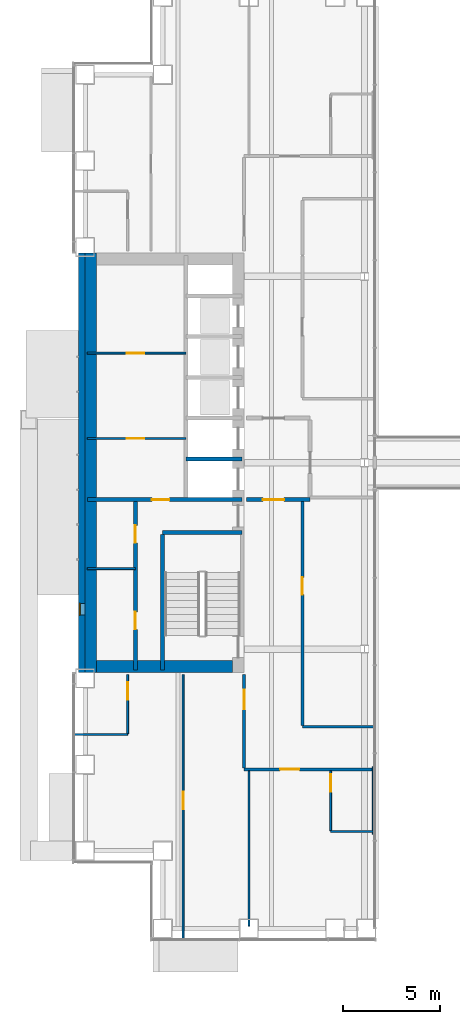
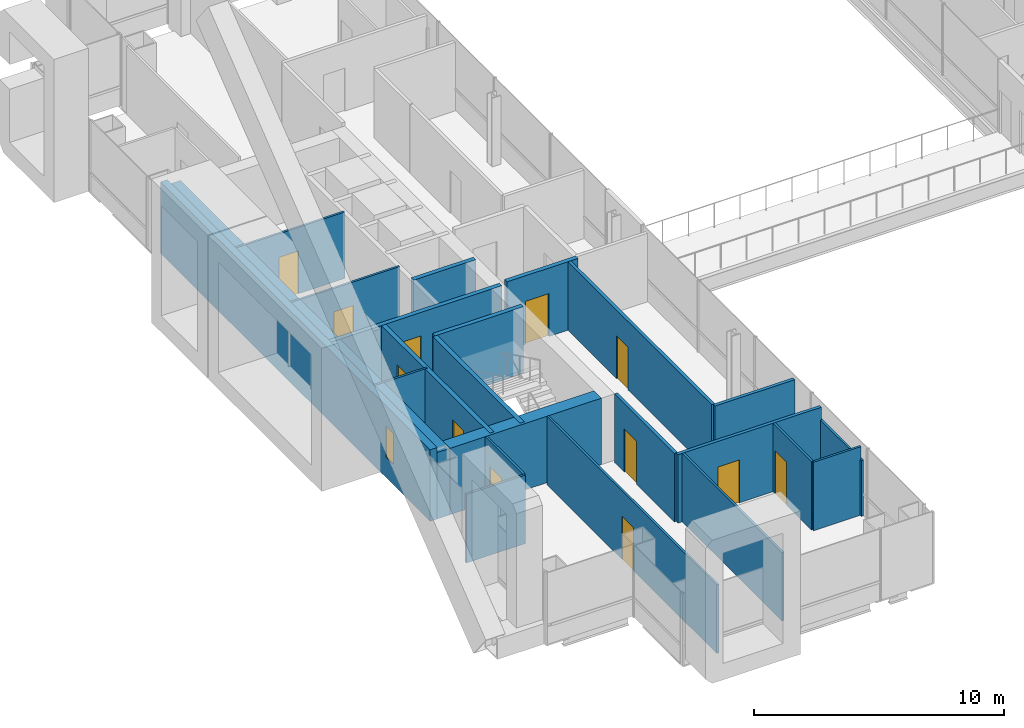
# One storey, part 17 of 26: 23 walls, 12 doors, 1 window, 13 openings.
"""IFC4 building model written with IfcOpenShell, lengths in metres."""

from ifc_helpers import new_model, si_unit, direction, frame, frame_2d, origin, place, context, subcontext, project, spatial, rectangle, extrude, material, layer, layer_set, type_object, element, fill, save


model = new_model("IFC4")

# Units and contexts
model_context = context("Model", 3, precision=1e-05, world=origin(), true_north=direction((0.0, 1.0)))
body_context = subcontext(model_context, "Body", "Model", "MODEL_VIEW")
ifc_project = project(units=[si_unit("LENGTHUNIT", "METRE"), si_unit("AREAUNIT", "SQUARE_METRE"), si_unit("VOLUMEUNIT", "CUBIC_METRE"), si_unit("PLANEANGLEUNIT", "RADIAN"), si_unit("MASSUNIT", "GRAM", prefix="KILO")], contexts=[model_context])

# Site, building, storey
site_placement = place(None, origin())
site = spatial("IfcSite", under=ifc_project, at=site_placement, CompositionType="ELEMENT")
building_placement = place(site_placement, origin())
building = spatial("IfcBuilding", under=site, at=building_placement, Name="Cobrizo Arcos Hotel Tower", CompositionType="ELEMENT")
storey_placement = place(building_placement, frame((0.0, 0.0, 67.0)))
storey = spatial("IfcBuildingStorey", under=building, at=storey_placement, Name="L15", CompositionType="ELEMENT", Elevation=67.0)

# Wall, opening, door
ifc_material_1 = material(Name="Gypsum board partition")
ifc_layer_1 = layer(ifc_material_1, 0.14990234375)
ifc_layer_set_1 = layer_set([ifc_layer_1], Name="Corridor wall EI 60 150")
wall_type_1 = type_object("IfcWallType", Name="Corridor wall EI 60 150", PredefinedType="PARTITIONING", material=ifc_layer_set_1)
wall_1_placement = place(storey_placement, frame((-15.800048828125, -15.800048828125, 0.0), z_axis=(0.0, 0.0, 1.0), x_axis=(1.0, 0.0, 0.0)))
wall_1 = element("IfcWall", 1, at=wall_1_placement, inside=storey, type_object=wall_type_1, Name="Partition 005", PredefinedType="PARTITIONING", context=body_context, shape_type="SweptSolid", body=[
    extrude(rectangle(XDim=6.650146484375, YDim=0.14990234375, at=frame_2d((3.3251953125, 0.0))), origin(), (0.0, 0.0, 1.0), 3.35009765625),
])
opening_1_placement = place(wall_1_placement, frame((1.846923828125, 0.0, 0.0)))
opening_1 = element("IfcOpeningElement", 2, at=opening_1_placement, cuts=wall_1, Name="Opening GD-04", PredefinedType="OPENING", context=body_context, shape_type="SweptSolid", body=[
    extrude(rectangle(XDim=1.0, YDim=2.10009765625, at=frame_2d((0.5, 1.050048828125))), frame((0.0, 0.0869140625, 0.0), z_axis=(0.0, -1.0, 0.0), x_axis=(1.0, 0.0, 0.0)), (0.0, 0.0, 1.0), 0.173828125),
])
ifc_material_2 = material(Name="Timber door leaf", Category="wood")
door_type_1 = type_object("IfcDoorType", Name="Guest room door FD30S 1000x2100", OperationType="SINGLE_SWING_LEFT", PredefinedType="DOOR", material=ifc_material_2)
door_1_placement = place(opening_1_placement, origin())
door_1 = element("IfcDoor", 3, at=door_1_placement, inside=storey, type_object=door_type_1, Name="Door GD-04", OperationType="SINGLE_SWING_LEFT", OverallHeight=2.10009765625, OverallWidth=1.0, PredefinedType="DOOR", context=body_context, shape_type="SweptSolid", body=[
    extrude(rectangle(XDim=1.0, YDim=2.10009765625, at=frame_2d((0.5, 1.050048828125))), frame((0.0, 0.02490234375, 0.0), z_axis=(0.0, -1.0, 0.0), x_axis=(1.0, 0.0, 0.0)), (0.0, 0.0, 1.0), 0.050048828125),
])
fill(opening_1, door_1)

# Wall
wall_2_placement = place(storey_placement, frame((-12.800048828125, -13.60009765625, 0.0), z_axis=(0.0, 0.0, 1.0), x_axis=(1.0, 0.0, 0.0)))
element("IfcWall", 4, at=wall_2_placement, inside=storey, type_object=wall_type_1, Name="Partition 008", PredefinedType="PARTITIONING", context=body_context, shape_type="SweptSolid", body=[
    extrude(rectangle(XDim=3.679931640625, YDim=0.14990234375, at=frame_2d((1.83984375, 0.0))), origin(), (0.0, 0.0, 1.0), 3.35009765625),
])

# Wall, opening, door
wall_3_placement = place(storey_placement, frame((-15.800048828125, -15.72509765625, 0.0), z_axis=(0.0, 0.0, 1.0), x_axis=(0.0, 1.0, 0.0)))
wall_3 = element("IfcWall", 5, at=wall_3_placement, inside=storey, type_object=wall_type_1, Name="Partition 053", PredefinedType="PARTITIONING", context=body_context, shape_type="SweptSolid", body=[
    extrude(rectangle(XDim=4.80517578125, YDim=0.14990234375, at=frame_2d((2.402587890625, 0.0))), origin(), (0.0, 0.0, 1.0), 3.35009765625),
])
opening_2_placement = place(wall_3_placement, frame((3.02490234375, 0.0, 0.0)))
opening_2 = element("IfcOpeningElement", 6, at=opening_2_placement, cuts=wall_3, Name="Opening GD-05", PredefinedType="OPENING", context=body_context, shape_type="SweptSolid", body=[
    extrude(rectangle(XDim=1.0, YDim=2.10009765625, at=frame_2d((0.5, 1.050048828125))), frame((0.0, 0.0869140625, 0.0), z_axis=(0.0, -1.0, 0.0), x_axis=(1.0, 0.0, 0.0)), (0.0, 0.0, 1.0), 0.173828125),
])
door_2_placement = place(opening_2_placement, origin())
door_2 = element("IfcDoor", 7, at=door_2_placement, inside=storey, type_object=door_type_1, Name="Door GD-05", OperationType="SINGLE_SWING_LEFT", OverallHeight=2.10009765625, OverallWidth=1.0, PredefinedType="DOOR", context=body_context, shape_type="SweptSolid", body=[
    extrude(rectangle(XDim=1.0, YDim=2.10009765625, at=frame_2d((0.5, 1.050048828125))), frame((0.0, 0.02490234375, 0.0), z_axis=(0.0, -1.0, 0.0), x_axis=(1.0, 0.0, 0.0)), (0.0, 0.0, 1.0), 0.050048828125),
])
fill(opening_2, door_2)

wall_4_placement = place(storey_placement, frame((-12.800048828125, -13.52490234375, 0.0), z_axis=(0.0, 0.0, 1.0), x_axis=(0.0, 1.0, 0.0)))
wall_4 = element("IfcWall", 8, at=wall_4_placement, inside=storey, type_object=wall_type_1, Name="Partition 057", PredefinedType="PARTITIONING", context=body_context, shape_type="SweptSolid", body=[
    extrude(rectangle(XDim=11.52490234375, YDim=0.14990234375, at=frame_2d((5.762451171875, 0.0))), origin(), (0.0, 0.0, 1.0), 3.35009765625),
])
opening_3_placement = place(wall_4_placement, frame((6.72509765625, 0.0, 0.0)))
opening_3 = element("IfcOpeningElement", 9, at=opening_3_placement, cuts=wall_4, Name="Opening RD-17", PredefinedType="OPENING", context=body_context, shape_type="SweptSolid", body=[
    extrude(rectangle(XDim=0.89990234375, YDim=2.10009765625, at=frame_2d((0.449951171875, 1.050048828125))), frame((0.0, 0.0869140625, 0.0), z_axis=(0.0, -1.0, 0.0), x_axis=(1.0, 0.0, 0.0)), (0.0, 0.0, 1.0), 0.173828125),
])
door_type_2 = type_object("IfcDoorType", Name="Room door FD30 900x2100", OperationType="SINGLE_SWING_LEFT", PredefinedType="DOOR", material=ifc_material_2)
door_3_placement = place(opening_3_placement, origin())
door_3 = element("IfcDoor", 10, at=door_3_placement, inside=storey, type_object=door_type_2, Name="Door RD-17", OperationType="SINGLE_SWING_LEFT", OverallHeight=2.10009765625, OverallWidth=0.89990234375, PredefinedType="DOOR", context=body_context, shape_type="SweptSolid", body=[
    extrude(rectangle(XDim=0.89990234375, YDim=2.10009765625, at=frame_2d((0.449951171875, 1.050048828125))), frame((0.0, 0.02490234375, 0.0), z_axis=(0.0, -1.0, 0.0), x_axis=(1.0, 0.0, 0.0)), (0.0, 0.0, 1.0), 0.050048828125),
])
fill(opening_3, door_3)

# Wall, opening, window
ifc_material_3 = material(Name="Aluminium composite panel pale metal", Category="aluminium")
ifc_layer_2 = layer(ifc_material_3, 0.324951171875)
ifc_layer_set_2 = layer_set([ifc_layer_2], Name="EW-1 insulated panel wall 325")
wall_type_2 = type_object("IfcWallType", Name="EW-1 insulated panel wall 325", PredefinedType="SOLIDWALL", material=ifc_layer_set_2)
wall_5_placement = place(storey_placement, frame((-24.16259765625, 10.800048828125, 0.0), z_axis=(0.0, 0.0, 1.0), x_axis=(0.0, -1.0, 0.0)))
wall_5 = element("IfcWall", 11, at=wall_5_placement, inside=storey, type_object=wall_type_2, Name="Core face wall L15 W", PredefinedType="SOLIDWALL", context=body_context, shape_type="SweptSolid", body=[
    extrude(rectangle(XDim=21.60009765625, YDim=0.324951171875, at=frame_2d((10.800048828125, 0.0))), origin(), (0.0, 0.0, 1.0), 3.5),
])
opening_4_placement = place(wall_5_placement, frame((18.050048828125, 0.0, 1.0)))
opening_4 = element("IfcOpeningElement", 12, at=opening_4_placement, cuts=wall_5, Name="Opening W-26", PredefinedType="OPENING", context=body_context, shape_type="SweptSolid", body=[
    extrude(rectangle(XDim=0.60009765625, YDim=1.5, at=frame_2d((0.300048828125, 0.75))), frame((0.0, 0.174560546875, 0.0), z_axis=(0.0, -1.0, 0.0), x_axis=(1.0, 0.0, 0.0)), (0.0, 0.0, 1.0), 0.348876953125),
])
ifc_material_4 = material(Name="Aluminium 6063-T6 and clear laminated glass", Category="aluminium")
window_type = type_object("IfcWindowType", Name="W-C1 core stair slot window 600x1500", PartitioningType="SINGLE_PANEL", PredefinedType="WINDOW", material=ifc_material_4)
window_placement = place(opening_4_placement, origin())
window = element("IfcWindow", 13, at=window_placement, inside=storey, type_object=window_type, Name="Core face wall L15 W window W-26", OverallHeight=1.5, OverallWidth=0.60009765625, PartitioningType="SINGLE_PANEL", PredefinedType="WINDOW", context=body_context, shape_type="SweptSolid", body=[
    extrude(rectangle(XDim=0.60009765625, YDim=1.5, at=frame_2d((0.300048828125, 0.75))), frame((0.0, -0.072509765625, 0.0), z_axis=(0.0, -1.0, 0.0), x_axis=(1.0, 0.0, 0.0)), (0.0, 0.0, 1.0), 0.06005859375),
])
fill(opening_4, window)

# Walls
ifc_layer_3 = layer(ifc_material_1, 0.10009765625)
ifc_layer_set_3 = layer_set([ifc_layer_3], Name="Partition EI 30 100")
wall_type_3 = type_object("IfcWallType", Name="Partition EI 30 100", PredefinedType="PARTITIONING", material=ifc_layer_set_3)
wall_6_placement = place(storey_placement, frame((-11.35009765625, -19.0, 0.0), z_axis=(0.0, 0.0, 1.0), x_axis=(1.0, 0.0, 0.0)))
element("IfcWall", 14, at=wall_6_placement, inside=storey, type_object=wall_type_3, Name="Partition 002", PredefinedType="PARTITIONING", context=body_context, shape_type="SweptSolid", body=[
    extrude(rectangle(XDim=2.2001953125, YDim=0.10009765625, at=frame_2d((1.10009765625, 0.0))), origin(), (0.0, 0.0, 1.0), 3.35009765625),
])
wall_7_placement = place(storey_placement, frame((-24.530029296875, -14.0, 0.0), z_axis=(0.0, 0.0, 1.0), x_axis=(1.0, 0.0, 0.0)))
element("IfcWall", 15, at=wall_7_placement, inside=storey, type_object=wall_type_3, Name="Partition 007", PredefinedType="PARTITIONING", context=body_context, shape_type="SweptSolid", body=[
    extrude(rectangle(XDim=2.72998046875, YDim=0.10009765625, at=frame_2d((1.364990234375, 0.0))), origin(), (0.0, 0.0, 1.0), 3.35009765625),
])
wall_8_placement = place(storey_placement, frame((-23.8798828125, -5.449951171875, 0.0), z_axis=(0.0, 0.0, 1.0), x_axis=(1.0, 0.0, 0.0)))
element("IfcWall", 16, at=wall_8_placement, inside=storey, type_object=wall_type_3, Name="Partition 010", PredefinedType="PARTITIONING", context=body_context, shape_type="SweptSolid", body=[
    extrude(rectangle(XDim=2.47998046875, YDim=0.10009765625, at=frame_2d((1.239990234375, 0.0))), origin(), (0.0, 0.0, 1.0), 3.25),
])

# Wall, opening, door
wall_9_placement = place(storey_placement, frame((-23.8798828125, 1.25, 0.0), z_axis=(0.0, 0.0, 1.0), x_axis=(1.0, 0.0, 0.0)))
wall_9 = element("IfcWall", 17, at=wall_9_placement, inside=storey, type_object=wall_type_3, Name="Partition 022", PredefinedType="PARTITIONING", context=body_context, shape_type="SweptSolid", body=[
    extrude(rectangle(XDim=5.079833984375, YDim=0.10009765625, at=frame_2d((2.5400390625, 0.0))), origin(), (0.0, 0.0, 1.0), 3.25),
])
opening_5_placement = place(wall_9_placement, frame((2.030029296875, 0.0, 0.0)))
opening_5 = element("IfcOpeningElement", 18, at=opening_5_placement, cuts=wall_9, Name="Opening RD-04", PredefinedType="OPENING", context=body_context, shape_type="SweptSolid", body=[
    extrude(rectangle(XDim=0.89990234375, YDim=2.10009765625, at=frame_2d((0.449951171875, 1.050048828125))), frame((0.0, 0.06201171875, 0.0), z_axis=(0.0, -1.0, 0.0), x_axis=(1.0, 0.0, 0.0)), (0.0, 0.0, 1.0), 0.1240234375),
])
door_4_placement = place(opening_5_placement, origin())
door_4 = element("IfcDoor", 19, at=door_4_placement, inside=storey, type_object=door_type_2, Name="Door RD-04", OperationType="SINGLE_SWING_LEFT", OverallHeight=2.10009765625, OverallWidth=0.89990234375, PredefinedType="DOOR", context=body_context, shape_type="SweptSolid", body=[
    extrude(rectangle(XDim=0.89990234375, YDim=2.10009765625, at=frame_2d((0.449951171875, 1.050048828125))), frame((0.0, 0.02490234375, 0.0), z_axis=(0.0, -1.0, 0.0), x_axis=(1.0, 0.0, 0.0)), (0.0, 0.0, 1.0), 0.050048828125),
])
fill(opening_5, door_4)

wall_10_placement = place(storey_placement, frame((-23.8798828125, 5.64990234375, 0.0), z_axis=(0.0, 0.0, 1.0), x_axis=(1.0, 0.0, 0.0)))
wall_10 = element("IfcWall", 20, at=wall_10_placement, inside=storey, type_object=wall_type_3, Name="Partition 032", PredefinedType="PARTITIONING", context=body_context, shape_type="SweptSolid", body=[
    extrude(rectangle(XDim=5.079833984375, YDim=0.10009765625, at=frame_2d((2.5400390625, 0.0))), origin(), (0.0, 0.0, 1.0), 3.25),
])
opening_6_placement = place(wall_10_placement, frame((2.030029296875, 0.0, 0.0)))
opening_6 = element("IfcOpeningElement", 21, at=opening_6_placement, cuts=wall_10, Name="Opening RD-05", PredefinedType="OPENING", context=body_context, shape_type="SweptSolid", body=[
    extrude(rectangle(XDim=0.89990234375, YDim=2.10009765625, at=frame_2d((0.449951171875, 1.050048828125))), frame((0.0, 0.06201171875, 0.0), z_axis=(0.0, -1.0, 0.0), x_axis=(1.0, 0.0, 0.0)), (0.0, 0.0, 1.0), 0.1240234375),
])
door_5_placement = place(opening_6_placement, origin())
door_5 = element("IfcDoor", 22, at=door_5_placement, inside=storey, type_object=door_type_2, Name="Door RD-05", OperationType="SINGLE_SWING_LEFT", OverallHeight=2.10009765625, OverallWidth=0.89990234375, PredefinedType="DOOR", context=body_context, shape_type="SweptSolid", body=[
    extrude(rectangle(XDim=0.89990234375, YDim=2.10009765625, at=frame_2d((0.449951171875, 1.050048828125))), frame((0.0, 0.02490234375, 0.0), z_axis=(0.0, -1.0, 0.0), x_axis=(1.0, 0.0, 0.0)), (0.0, 0.0, 1.0), 0.050048828125),
])
fill(opening_6, door_5)

wall_11_placement = place(storey_placement, frame((-21.800048828125, -13.949951171875, 0.0), z_axis=(0.0, 0.0, 1.0), x_axis=(0.0, 1.0, 0.0)))
wall_11 = element("IfcWall", 23, at=wall_11_placement, inside=storey, type_object=wall_type_3, Name="Partition 046", PredefinedType="PARTITIONING", context=body_context, shape_type="SweptSolid", body=[
    extrude(rectangle(XDim=3.030029296875, YDim=0.10009765625, at=frame_2d((1.51513671875, 0.0))), origin(), (0.0, 0.0, 1.0), 3.35009765625),
])
opening_7_placement = place(wall_11_placement, frame((1.739990234375, 0.0, 0.0)))
opening_7 = element("IfcOpeningElement", 24, at=opening_7_placement, cuts=wall_11, Name="Opening ED-05", PredefinedType="OPENING", context=body_context, shape_type="SweptSolid", body=[
    extrude(rectangle(XDim=0.89990234375, YDim=2.10009765625, at=frame_2d((0.449951171875, 1.050048828125))), frame((0.0, 0.06201171875, 0.0), z_axis=(0.0, -1.0, 0.0), x_axis=(1.0, 0.0, 0.0)), (0.0, 0.0, 1.0), 0.1240234375),
])
door_type_3 = type_object("IfcDoorType", Name="En-suite door 900x2100", OperationType="SINGLE_SWING_LEFT", PredefinedType="DOOR", material=ifc_material_2)
door_6_placement = place(opening_7_placement, origin())
door_6 = element("IfcDoor", 25, at=door_6_placement, inside=storey, type_object=door_type_3, Name="Door ED-05", OperationType="SINGLE_SWING_LEFT", OverallHeight=2.10009765625, OverallWidth=0.89990234375, PredefinedType="DOOR", context=body_context, shape_type="SweptSolid", body=[
    extrude(rectangle(XDim=0.89990234375, YDim=2.10009765625, at=frame_2d((0.449951171875, 1.050048828125))), frame((0.0, 0.02490234375, 0.0), z_axis=(0.0, -1.0, 0.0), x_axis=(1.0, 0.0, 0.0)), (0.0, 0.0, 1.0), 0.050048828125),
])
fill(opening_7, door_6)

wall_12_placement = place(storey_placement, frame((-18.949951171875, -24.530029296875, 0.0), z_axis=(0.0, 0.0, 1.0), x_axis=(0.0, 1.0, 0.0)))
wall_12 = element("IfcWall", 26, at=wall_12_placement, inside=storey, type_object=wall_type_3, Name="Partition 051", PredefinedType="PARTITIONING", context=body_context, shape_type="SweptSolid", body=[
    extrude(rectangle(XDim=13.610107421875, YDim=0.10009765625, at=frame_2d((6.80517578125, 0.0))), origin(), (0.0, 0.0, 1.0), 3.35009765625),
])
opening_8_placement = place(wall_12_placement, frame((6.679931640625, 0.0, 0.0)))
opening_8 = element("IfcOpeningElement", 27, at=opening_8_placement, cuts=wall_12, Name="Opening RD-11", PredefinedType="OPENING", context=body_context, shape_type="SweptSolid", body=[
    extrude(rectangle(XDim=0.89990234375, YDim=2.10009765625, at=frame_2d((0.449951171875, 1.050048828125))), frame((0.0, 0.06201171875, 0.0), z_axis=(0.0, -1.0, 0.0), x_axis=(1.0, 0.0, 0.0)), (0.0, 0.0, 1.0), 0.1240234375),
])
door_7_placement = place(opening_8_placement, origin())
door_7 = element("IfcDoor", 28, at=door_7_placement, inside=storey, type_object=door_type_2, Name="Door RD-11", OperationType="SINGLE_SWING_LEFT", OverallHeight=2.10009765625, OverallWidth=0.89990234375, PredefinedType="DOOR", context=body_context, shape_type="SweptSolid", body=[
    extrude(rectangle(XDim=0.89990234375, YDim=2.10009765625, at=frame_2d((0.449951171875, 1.050048828125))), frame((0.0, 0.02490234375, 0.0), z_axis=(0.0, -1.0, 0.0), x_axis=(1.0, 0.0, 0.0)), (0.0, 0.0, 1.0), 0.050048828125),
])
fill(opening_8, door_7)

# Wall
wall_13_placement = place(storey_placement, frame((-15.550048828125, -23.8798828125, 0.0), z_axis=(0.0, 0.0, 1.0), x_axis=(0.0, 1.0, 0.0)))
element("IfcWall", 29, at=wall_13_placement, inside=storey, type_object=wall_type_3, Name="Partition 055", PredefinedType="PARTITIONING", context=body_context, shape_type="SweptSolid", body=[
    extrude(rectangle(XDim=8.0048828125, YDim=0.10009765625, at=frame_2d((4.00244140625, 0.0))), origin(), (0.0, 0.0, 1.0), 3.35009765625),
])

# Wall, opening, door
wall_14_placement = place(storey_placement, frame((-11.35009765625, -18.949951171875, 0.0), z_axis=(0.0, 0.0, 1.0), x_axis=(0.0, 1.0, 0.0)))
wall_14 = element("IfcWall", 30, at=wall_14_placement, inside=storey, type_object=wall_type_3, Name="Partition 061", PredefinedType="PARTITIONING", context=body_context, shape_type="SweptSolid", body=[
    extrude(rectangle(XDim=3.074951171875, YDim=0.10009765625, at=frame_2d((1.53759765625, 0.0))), origin(), (0.0, 0.0, 1.0), 3.35009765625),
])
opening_9_placement = place(wall_14_placement, frame((1.99609375, 0.0, 0.0)))
opening_9 = element("IfcOpeningElement", 31, at=opening_9_placement, cuts=wall_14, Name="Opening ED-04", PredefinedType="OPENING", context=body_context, shape_type="SweptSolid", body=[
    extrude(rectangle(XDim=0.89990234375, YDim=2.10009765625, at=frame_2d((0.449951171875, 1.050048828125))), frame((0.0, 0.06201171875, 0.0), z_axis=(0.0, -1.0, 0.0), x_axis=(1.0, 0.0, 0.0)), (0.0, 0.0, 1.0), 0.1240234375),
])
door_8_placement = place(opening_9_placement, origin())
door_8 = element("IfcDoor", 32, at=door_8_placement, inside=storey, type_object=door_type_3, Name="Door ED-04", OperationType="SINGLE_SWING_LEFT", OverallHeight=2.10009765625, OverallWidth=0.89990234375, PredefinedType="DOOR", context=body_context, shape_type="SweptSolid", body=[
    extrude(rectangle(XDim=0.89990234375, YDim=2.10009765625, at=frame_2d((0.449951171875, 1.050048828125))), frame((0.0, 0.02490234375, 0.0), z_axis=(0.0, -1.0, 0.0), x_axis=(1.0, 0.0, 0.0)), (0.0, 0.0, 1.0), 0.050048828125),
])
fill(opening_9, door_8)

# Walls
wall_15_placement = place(storey_placement, frame((-9.14990234375, -19.139892578125, 0.0), z_axis=(0.0, 0.0, 1.0), x_axis=(0.0, 1.0, 0.0)))
element("IfcWall", 33, at=wall_15_placement, inside=storey, type_object=wall_type_3, Name="Partition 063", PredefinedType="PARTITIONING", context=body_context, shape_type="SweptSolid", body=[
    extrude(rectangle(XDim=3.47998046875, YDim=0.10009765625, at=frame_2d((1.739990234375, 0.0))), origin(), (0.0, 0.0, 1.0), 2.73291015625),
])
ifc_material_5 = material(Name="Concrete f'c 60 MPa", Category="concrete")
ifc_layer_4 = layer(ifc_material_5, 0.60009765625)
ifc_layer_set_4 = layer_set([ifc_layer_4], Name="RC core wall 600 f'c 60")
wall_type_4 = type_object("IfcWallType", Name="RC core wall 600 f'c 60", PredefinedType="SHEAR", material=ifc_layer_set_4)
wall_16_placement = place(storey_placement, frame((-23.699951171875, -10.800048828125, 0.0), z_axis=(0.0, 0.0, 1.0), x_axis=(0.0, 1.0, 0.0)))
element("IfcWall", 34, at=wall_16_placement, inside=storey, type_object=wall_type_4, Name="Core wall CW1, west core, outer face, L15", PredefinedType="SHEAR", context=body_context, shape_type="SweptSolid", body=[
    extrude(rectangle(XDim=21.60009765625, YDim=0.60009765625, at=frame_2d((10.800048828125, 0.0))), origin(), (0.0, 0.0, 1.0), 3.25),
])
wall_17_placement = place(storey_placement, frame((-23.39990234375, -10.5, 0.0), z_axis=(0.0, 0.0, 1.0), x_axis=(1.0, 0.0, 0.0)))
element("IfcWall", 35, at=wall_17_placement, inside=storey, type_object=wall_type_4, Name="Core wall CW1, west core, south end, L15", PredefinedType="SHEAR", context=body_context, shape_type="SweptSolid", body=[
    extrude(rectangle(XDim=7.0, YDim=0.60009765625, at=frame_2d((3.5, 0.0))), origin(), (0.0, 0.0, 1.0), 3.25),
])

# Wall, opening, door
ifc_layer_5 = layer(ifc_material_1, 0.199951171875)
ifc_layer_set_5 = layer_set([ifc_layer_5], Name="Shaft wall EI 120 200")
wall_type_5 = type_object("IfcWallType", Name="Shaft wall EI 120 200", PredefinedType="PARTITIONING", material=ifc_layer_set_5)
wall_18_placement = place(storey_placement, frame((-23.8798828125, -1.89990234375, 0.0), z_axis=(0.0, 0.0, 1.0), x_axis=(1.0, 0.0, 0.0)))
wall_18 = element("IfcWall", 36, at=wall_18_placement, inside=storey, type_object=wall_type_5, Name="Partition 014", PredefinedType="PARTITIONING", context=body_context, shape_type="SweptSolid", body=[
    extrude(rectangle(XDim=7.9599609375, YDim=0.199951171875, at=frame_2d((3.97998046875, 0.0))), origin(), (0.0, 0.0, 1.0), 3.25),
])
opening_10_placement = place(wall_18_placement, frame((3.320068359375, 0.0, 0.0)))
opening_10 = element("IfcOpeningElement", 37, at=opening_10_placement, cuts=wall_18, Name="Opening RD-03", PredefinedType="OPENING", context=body_context, shape_type="SweptSolid", body=[
    extrude(rectangle(XDim=0.89990234375, YDim=2.10009765625, at=frame_2d((0.449951171875, 1.050048828125))), frame((0.0, 0.112060546875, 0.0), z_axis=(0.0, -1.0, 0.0), x_axis=(1.0, 0.0, 0.0)), (0.0, 0.0, 1.0), 0.223876953125),
])
door_9_placement = place(opening_10_placement, origin())
door_9 = element("IfcDoor", 38, at=door_9_placement, inside=storey, type_object=door_type_2, Name="Door RD-03", OperationType="SINGLE_SWING_RIGHT", OverallHeight=2.10009765625, OverallWidth=0.89990234375, PredefinedType="DOOR", context=body_context, shape_type="SweptSolid", body=[
    extrude(rectangle(XDim=0.89990234375, YDim=2.10009765625, at=frame_2d((0.449951171875, 1.050048828125))), frame((0.0, 0.02490234375, 0.0), z_axis=(0.0, -1.0, 0.0), x_axis=(1.0, 0.0, 0.0)), (0.0, 0.0, 1.0), 0.050048828125),
])
fill(opening_10, door_9)

wall_19_placement = place(storey_placement, frame((-15.679931640625, -1.89990234375, 0.0), z_axis=(0.0, 0.0, 1.0), x_axis=(1.0, 0.0, 0.0)))
wall_19 = element("IfcWall", 39, at=wall_19_placement, inside=storey, type_object=wall_type_5, Name="Partition 015", PredefinedType="PARTITIONING", context=body_context, shape_type="SweptSolid", body=[
    extrude(rectangle(XDim=3.280029296875, YDim=0.199951171875, at=frame_2d((1.64013671875, 0.0))), origin(), (0.0, 0.0, 1.0), 3.35009765625),
])
opening_11_placement = place(wall_19_placement, frame((0.840087890625, 0.0, 0.0)))
opening_11 = element("IfcOpeningElement", 40, at=opening_11_placement, cuts=wall_19, Name="Opening FD-03", PredefinedType="OPENING", context=body_context, shape_type="SweptSolid", body=[
    extrude(rectangle(XDim=1.10009765625, YDim=2.10009765625, at=frame_2d((0.550048828125, 1.050048828125))), frame((0.0, 0.112060546875, 0.0), z_axis=(0.0, -1.0, 0.0), x_axis=(1.0, 0.0, 0.0)), (0.0, 0.0, 1.0), 0.223876953125),
])
ifc_material_6 = material(Name="Steel door leaf", Category="steel")
door_type_4 = type_object("IfcDoorType", Name="Fire door FD60 1100x2100", OperationType="SINGLE_SWING_LEFT", PredefinedType="DOOR", material=ifc_material_6)
door_10_placement = place(opening_11_placement, origin())
door_10 = element("IfcDoor", 41, at=door_10_placement, inside=storey, type_object=door_type_4, Name="Door FD-03", OperationType="SINGLE_SWING_LEFT", OverallHeight=2.10009765625, OverallWidth=1.10009765625, PredefinedType="DOOR", context=body_context, shape_type="SweptSolid", body=[
    extrude(rectangle(XDim=1.10009765625, YDim=2.10009765625, at=frame_2d((0.550048828125, 1.050048828125))), frame((0.0, 0.02490234375, 0.0), z_axis=(0.0, -1.0, 0.0), x_axis=(1.0, 0.0, 0.0)), (0.0, 0.0, 1.0), 0.050048828125),
])
fill(opening_11, door_10)

# Wall
wall_20_placement = place(storey_placement, frame((-18.800048828125, 0.199951171875, 0.0), z_axis=(0.0, 0.0, 1.0), x_axis=(1.0, 0.0, 0.0)))
element("IfcWall", 42, at=wall_20_placement, inside=storey, type_object=wall_type_5, Name="Partition 020", PredefinedType="PARTITIONING", context=body_context, shape_type="SweptSolid", body=[
    extrude(rectangle(XDim=2.880126953125, YDim=0.199951171875, at=frame_2d((1.43994140625, 0.0))), origin(), (0.0, 0.0, 1.0), 3.25),
])

# Wall, openings, doors
wall_21_placement = place(storey_placement, frame((-21.39990234375, -10.679931640625, 0.0), z_axis=(0.0, 0.0, 1.0), x_axis=(0.0, 1.0, 0.0)))
wall_21 = element("IfcWall", 43, at=wall_21_placement, inside=storey, type_object=wall_type_5, Name="Partition 048", PredefinedType="PARTITIONING", context=body_context, shape_type="SweptSolid", body=[
    extrude(rectangle(XDim=8.679931640625, YDim=0.199951171875, at=frame_2d((4.33984375, 0.0))), origin(), (0.0, 0.0, 1.0), 3.25),
])
opening_12_placement = place(wall_21_placement, frame((2.10009765625, 0.0, 0.0)))
opening_12 = element("IfcOpeningElement", 44, at=opening_12_placement, cuts=wall_21, Name="Opening RD-01", PredefinedType="OPENING", context=body_context, shape_type="SweptSolid", body=[
    extrude(rectangle(XDim=0.89990234375, YDim=2.10009765625, at=frame_2d((0.449951171875, 1.050048828125))), frame((0.0, 0.112060546875, 0.0), z_axis=(0.0, -1.0, 0.0), x_axis=(1.0, 0.0, 0.0)), (0.0, 0.0, 1.0), 0.223876953125),
])
opening_13_placement = place(wall_21_placement, frame((6.550048828125, 0.0, 0.0)))
opening_13 = element("IfcOpeningElement", 45, at=opening_13_placement, cuts=wall_21, Name="Opening RD-02", PredefinedType="OPENING", context=body_context, shape_type="SweptSolid", body=[
    extrude(rectangle(XDim=0.89990234375, YDim=2.10009765625, at=frame_2d((0.449951171875, 1.050048828125))), frame((0.0, 0.112060546875, 0.0), z_axis=(0.0, -1.0, 0.0), x_axis=(1.0, 0.0, 0.0)), (0.0, 0.0, 1.0), 0.223876953125),
])
door_11_placement = place(opening_12_placement, origin())
door_11 = element("IfcDoor", 46, at=door_11_placement, inside=storey, type_object=door_type_2, Name="Door RD-01", OperationType="SINGLE_SWING_RIGHT", OverallHeight=2.10009765625, OverallWidth=0.89990234375, PredefinedType="DOOR", context=body_context, shape_type="SweptSolid", body=[
    extrude(rectangle(XDim=0.89990234375, YDim=2.10009765625, at=frame_2d((0.449951171875, 1.050048828125))), frame((0.0, 0.02490234375, 0.0), z_axis=(0.0, -1.0, 0.0), x_axis=(1.0, 0.0, 0.0)), (0.0, 0.0, 1.0), 0.050048828125),
])
fill(opening_12, door_11)
door_12_placement = place(opening_13_placement, origin())
door_12 = element("IfcDoor", 47, at=door_12_placement, inside=storey, type_object=door_type_2, Name="Door RD-02", OperationType="SINGLE_SWING_LEFT", OverallHeight=2.10009765625, OverallWidth=0.89990234375, PredefinedType="DOOR", context=body_context, shape_type="SweptSolid", body=[
    extrude(rectangle(XDim=0.89990234375, YDim=2.10009765625, at=frame_2d((0.449951171875, 1.050048828125))), frame((0.0, 0.02490234375, 0.0), z_axis=(0.0, -1.0, 0.0), x_axis=(1.0, 0.0, 0.0)), (0.0, 0.0, 1.0), 0.050048828125),
])
fill(opening_13, door_12)

# Walls
ifc_material_7 = material(Name="Concrete f'c 40 MPa", Category="concrete")
ifc_layer_6 = layer(ifc_material_7, 0.199951171875)
ifc_layer_set_6 = layer_set([ifc_layer_6], Name="Stair shaft wall 200")
wall_type_6 = type_object("IfcWallType", Name="Stair shaft wall 200", PredefinedType="SHEAR", material=ifc_layer_set_6)
wall_22_placement = place(storey_placement, frame((-20.0, -3.60009765625, 0.0), z_axis=(0.0, 0.0, 1.0), x_axis=(1.0, 0.0, 0.0)))
element("IfcWall", 48, at=wall_22_placement, inside=storey, type_object=wall_type_6, Name="Stair shaft wall W", PredefinedType="SHEAR", context=body_context, shape_type="SweptSolid", body=[
    extrude(rectangle(XDim=4.080078125, YDim=0.199951171875, at=frame_2d((2.0400390625, 0.0))), origin(), (0.0, 0.0, 1.0), 3.25),
])
wall_23_placement = place(storey_placement, frame((-20.0, -10.679931640625, 0.0), z_axis=(0.0, 0.0, 1.0), x_axis=(0.0, 1.0, 0.0)))
element("IfcWall", 49, at=wall_23_placement, inside=storey, type_object=wall_type_6, Name="Stair shaft wall W", PredefinedType="SHEAR", context=body_context, shape_type="SweptSolid", body=[
    extrude(rectangle(XDim=6.97998046875, YDim=0.199951171875, at=frame_2d((3.489990234375, 0.0))), origin(), (0.0, 0.0, 1.0), 3.25),
])

save(model, "model.ifc")
